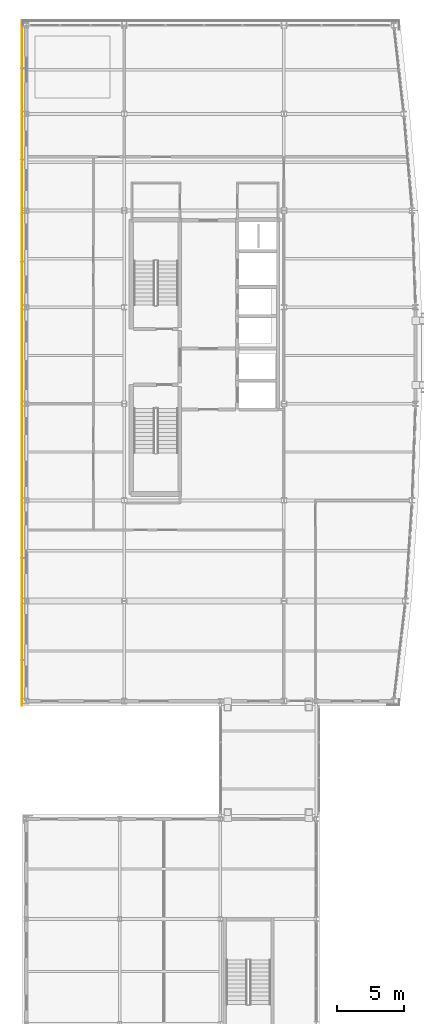
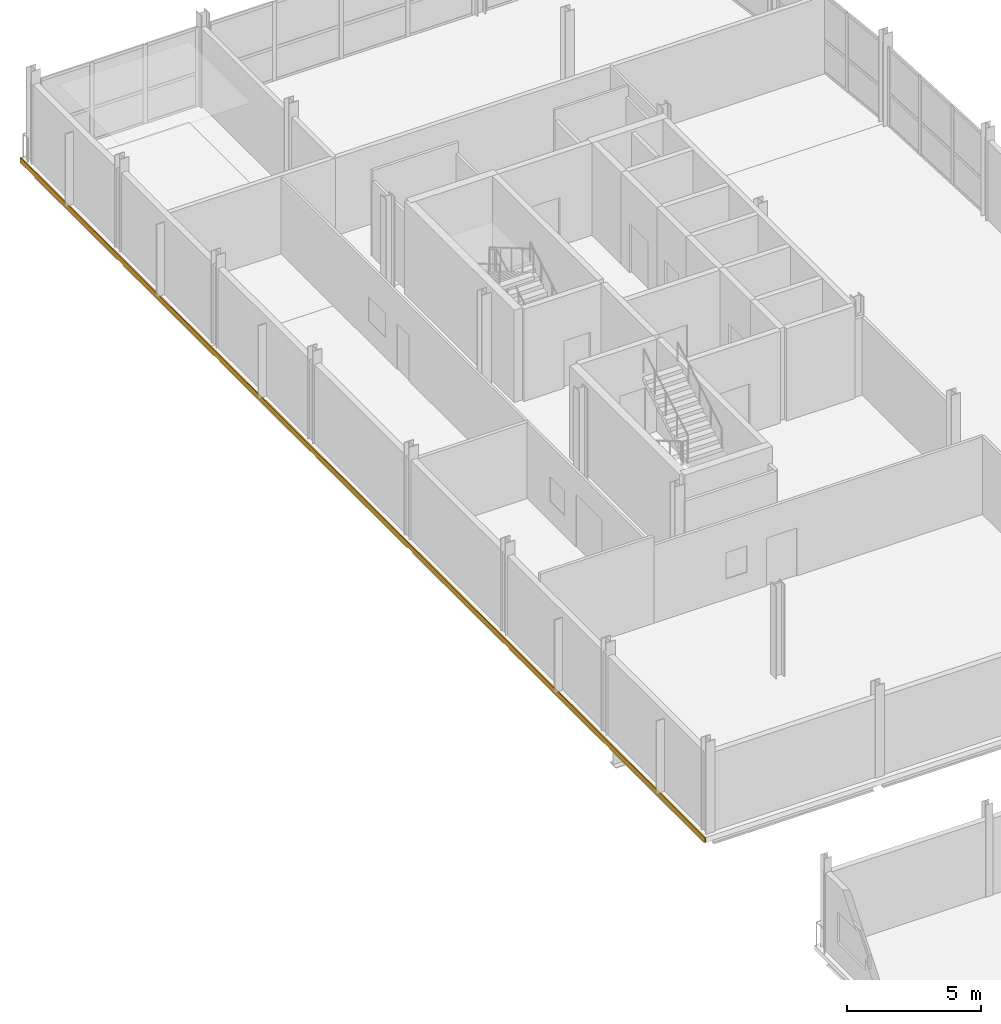
# One storey, part 57 of 60: 1 covering.
"""IFC4 building model written with IfcOpenShell, lengths in metres."""

from ifc_helpers import new_model, si_unit, direction, frame, origin, place, context, subcontext, project, spatial, polyline, outline, extrude, material, layer, layer_set, type_object, element, save


model = new_model("IFC4")

# Units and contexts
model_context = context("Model", 3, precision=1e-05, world=origin(), true_north=direction((0.0, 1.0)))
body_context = subcontext(model_context, "Body", "Model", "MODEL_VIEW")
ifc_project = project(units=[si_unit("LENGTHUNIT", "METRE"), si_unit("AREAUNIT", "SQUARE_METRE"), si_unit("VOLUMEUNIT", "CUBIC_METRE"), si_unit("PLANEANGLEUNIT", "RADIAN"), si_unit("MASSUNIT", "GRAM", prefix="KILO")], contexts=[model_context])

# Site, building, storey
site_placement = place(None, origin())
site = spatial("IfcSite", under=ifc_project, at=site_placement, CompositionType="ELEMENT")
building_placement = place(site_placement, origin())
building = spatial("IfcBuilding", under=site, at=building_placement, Name="Quillay Park Conservatory", CompositionType="ELEMENT")
storey_placement = place(building_placement, frame((0.0, 0.0, 9.89990234375)))
storey = spatial("IfcBuildingStorey", under=building, at=storey_placement, Name="L02", CompositionType="ELEMENT", Elevation=9.89990234375)

# Covering
ifc_material = material(Name="Glass-Fibre Reinforced Concrete (GRC) Cladding", Category="concrete")
ifc_layer = layer(ifc_material, 0.044921875)
ifc_layer_set = layer_set([ifc_layer], Name="GRC SPANDREL CLADDING 45 (Glass-Fibre Reinforced Concrete (GRC) Cladding)")
covering_type = type_object("IfcCoveringType", Name="GRC SPANDREL CLADDING 45", PredefinedType="CLADDING", material=ifc_layer_set)
covering_placement = place(storey_placement, frame((0.0, 0.0, -0.22998046875)))
element("IfcCovering", 1, at=covering_placement, inside=storey, type_object=covering_type, Name="L02 West Folded GRC Spandrel Ribbon", PredefinedType="CLADDING", context=body_context, shape_type="SweptSolid", body=[
    extrude(outline(polyline([(0.205078125, 62.699951171875), (0.25, 62.699951171875), (0.25, 113.800048828125), (0.205078125, 113.800048828125), (0.205078125, 62.699951171875)])), origin(), (0.0, 0.0, 1.0), 0.22998046875),
])

save(model, "model.ifc")
